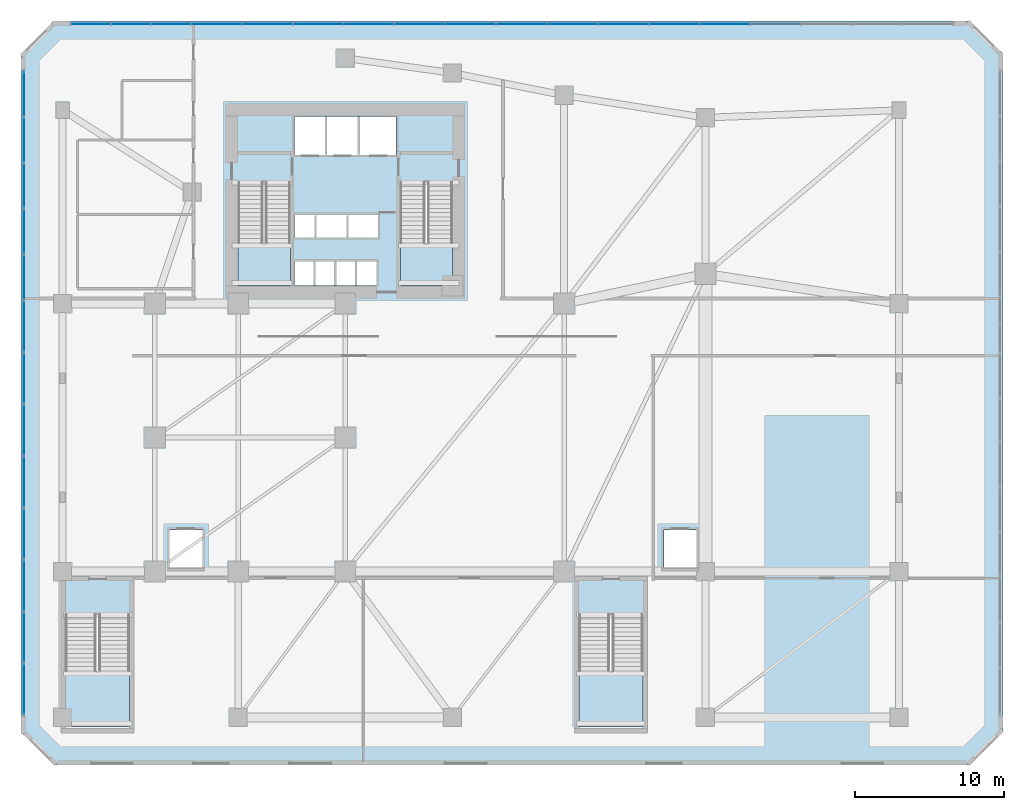
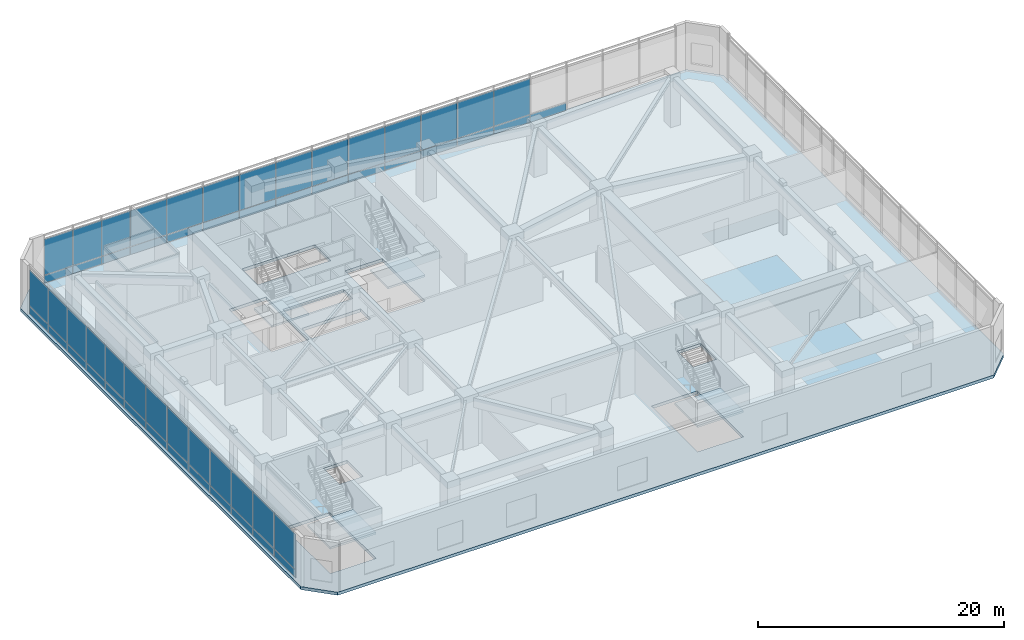
# One storey, part 8 of 16: 55 plates, 5 slabs, 6 elements without a shape of their own.
"""IFC4 building model written with IfcOpenShell, lengths in metres."""

from ifc_helpers import new_model, si_unit, direction, frame, frame_2d, origin, place, context, subcontext, project, spatial, polyline, rectangle, outline, extrude, material, layer, layer_set, type_object, element, aggregate, save


model = new_model("IFC4")

# Units and contexts
model_context = context("Model", 3, precision=1e-05, world=origin(), true_north=direction((0.0, 1.0)))
body_context = subcontext(model_context, "Body", "Model", "MODEL_VIEW")
ifc_project = project(units=[si_unit("LENGTHUNIT", "METRE"), si_unit("AREAUNIT", "SQUARE_METRE"), si_unit("VOLUMEUNIT", "CUBIC_METRE"), si_unit("PLANEANGLEUNIT", "RADIAN"), si_unit("MASSUNIT", "GRAM", prefix="KILO")], contexts=[model_context])

# Site, building, storey
site_placement = place(None, origin())
site = spatial("IfcSite", under=ifc_project, at=site_placement, CompositionType="ELEMENT")
building_placement = place(site_placement, origin())
building = spatial("IfcBuilding", under=site, at=building_placement, Name="Calvemar Wedge Station Tower", CompositionType="ELEMENT")
storey_placement = place(building_placement, frame((0.0, 0.0, 6.0)))
storey = spatial("IfcBuildingStorey", under=building, at=storey_placement, Name="L02", CompositionType="ELEMENT", Elevation=6.0)

# Curtain wall, plates
ifc_material_1 = material(Name="Anodised aluminium 6063-T6", Category="aluminium")
curtain_wall_type = type_object("IfcCurtainWallType", Name="CW5", PredefinedType="NOTDEFINED", material=ifc_material_1)
curtain_wall_1_placement = place(storey_placement, origin())
curtain_wall_1 = element("IfcCurtainWall", 1, at=curtain_wall_1_placement, inside=storey, type_object=curtain_wall_type, Name="Storey L02 CW5 Recessed Unitised Curtain Wall 4", PredefinedType="NOTDEFINED")
ifc_material_2 = material(Name="Low-E laminated insulated glass", Category="glass")
ifc_layer_1 = layer(ifc_material_2, 0.028076171875)
ifc_layer_set_1 = layer_set([ifc_layer_1], Name="Low-E laminated insulated glass")
plate_type_1 = type_object("IfcPlateType", Name="CW5-GLZ", PredefinedType="CURTAIN_PANEL", material=ifc_layer_set_1)
plate_1_placement = place(storey_placement, frame((50.972412109375, 51.7900390625, 0.8701171875), z_axis=(0.0, 0.0, 1.0), x_axis=(-1.0, 0.0, 0.0)))
plate_1 = element("IfcPlate", 2, at=plate_1_placement, type_object=plate_type_1, Name="CW5 vision glass panel 5", PredefinedType="CURTAIN_PANEL", context=body_context, shape_type="SweptSolid", body=[
    extrude(rectangle(XDim=3.375732421875, YDim=0.028076171875, at=frame_2d((1.68798828125, 0.0))), origin(), (0.0, 0.0, 1.0), 3.559814453125),
])
plate_2_placement = place(storey_placement, frame((47.560546875, 51.7900390625, 0.8701171875), z_axis=(0.0, 0.0, 1.0), x_axis=(-1.0, 0.0, 0.0)))
plate_2 = element("IfcPlate", 3, at=plate_2_placement, type_object=plate_type_1, Name="CW5 vision glass panel 6", PredefinedType="CURTAIN_PANEL", context=body_context, shape_type="SweptSolid", body=[
    extrude(rectangle(XDim=3.375732421875, YDim=0.028076171875, at=frame_2d((1.68798828125, 0.0))), origin(), (0.0, 0.0, 1.0), 3.559814453125),
])
plate_3_placement = place(storey_placement, frame((44.148681640625, 51.7900390625, 0.8701171875), z_axis=(0.0, 0.0, 1.0), x_axis=(-1.0, 0.0, 0.0)))
plate_3 = element("IfcPlate", 4, at=plate_3_placement, type_object=plate_type_1, Name="CW5 vision glass panel 7", PredefinedType="CURTAIN_PANEL", context=body_context, shape_type="SweptSolid", body=[
    extrude(rectangle(XDim=3.375732421875, YDim=0.028076171875, at=frame_2d((1.68798828125, 0.0))), origin(), (0.0, 0.0, 1.0), 3.559814453125),
])
plate_4_placement = place(storey_placement, frame((40.73681640625, 51.7900390625, 0.8701171875), z_axis=(0.0, 0.0, 1.0), x_axis=(-1.0, 0.0, 0.0)))
plate_4 = element("IfcPlate", 5, at=plate_4_placement, type_object=plate_type_1, Name="CW5 vision glass panel 8", PredefinedType="CURTAIN_PANEL", context=body_context, shape_type="SweptSolid", body=[
    extrude(rectangle(XDim=3.375732421875, YDim=0.028076171875, at=frame_2d((1.68798828125, 0.0))), origin(), (0.0, 0.0, 1.0), 3.559814453125),
])
plate_5_placement = place(storey_placement, frame((37.324951171875, 51.7900390625, 0.8701171875), z_axis=(0.0, 0.0, 1.0), x_axis=(-1.0, 0.0, 0.0)))
plate_5 = element("IfcPlate", 6, at=plate_5_placement, type_object=plate_type_1, Name="CW5 vision glass panel 9", PredefinedType="CURTAIN_PANEL", context=body_context, shape_type="SweptSolid", body=[
    extrude(rectangle(XDim=3.375732421875, YDim=0.028076171875, at=frame_2d((1.68798828125, 0.0))), origin(), (0.0, 0.0, 1.0), 3.559814453125),
])
plate_6_placement = place(storey_placement, frame((33.9130859375, 51.7900390625, 0.8701171875), z_axis=(0.0, 0.0, 1.0), x_axis=(-1.0, 0.0, 0.0)))
plate_6 = element("IfcPlate", 7, at=plate_6_placement, type_object=plate_type_1, Name="CW5 vision glass panel 10", PredefinedType="CURTAIN_PANEL", context=body_context, shape_type="SweptSolid", body=[
    extrude(rectangle(XDim=3.375732421875, YDim=0.028076171875, at=frame_2d((1.68798828125, 0.0))), origin(), (0.0, 0.0, 1.0), 3.559814453125),
])
plate_7_placement = place(storey_placement, frame((30.501220703125, 51.7900390625, 0.8701171875), z_axis=(0.0, 0.0, 1.0), x_axis=(-1.0, 0.0, 0.0)))
plate_7 = element("IfcPlate", 8, at=plate_7_placement, type_object=plate_type_1, Name="CW5 vision glass panel 11", PredefinedType="CURTAIN_PANEL", context=body_context, shape_type="SweptSolid", body=[
    extrude(rectangle(XDim=3.375732421875, YDim=0.028076171875, at=frame_2d((1.68798828125, 0.0))), origin(), (0.0, 0.0, 1.0), 3.559814453125),
])
plate_8_placement = place(storey_placement, frame((27.08935546875, 51.7900390625, 0.8701171875), z_axis=(0.0, 0.0, 1.0), x_axis=(-1.0, 0.0, 0.0)))
plate_8 = element("IfcPlate", 9, at=plate_8_placement, type_object=plate_type_1, Name="CW5 vision glass panel 12", PredefinedType="CURTAIN_PANEL", context=body_context, shape_type="SweptSolid", body=[
    extrude(rectangle(XDim=3.375732421875, YDim=0.028076171875, at=frame_2d((1.68798828125, 0.0))), origin(), (0.0, 0.0, 1.0), 3.559814453125),
])
plate_9_placement = place(storey_placement, frame((23.677490234375, 51.7900390625, 0.8701171875), z_axis=(0.0, 0.0, 1.0), x_axis=(-1.0, 0.0, 0.0)))
plate_9 = element("IfcPlate", 10, at=plate_9_placement, type_object=plate_type_1, Name="CW5 vision glass panel 13", PredefinedType="CURTAIN_PANEL", context=body_context, shape_type="SweptSolid", body=[
    extrude(rectangle(XDim=3.375732421875, YDim=0.028076171875, at=frame_2d((1.68798828125, 0.0))), origin(), (0.0, 0.0, 1.0), 3.559814453125),
])
plate_10_placement = place(storey_placement, frame((20.265625, 51.7900390625, 0.8701171875), z_axis=(0.0, 0.0, 1.0), x_axis=(-1.0, 0.0, 0.0)))
plate_10 = element("IfcPlate", 11, at=plate_10_placement, type_object=plate_type_1, Name="CW5 vision glass panel 14", PredefinedType="CURTAIN_PANEL", context=body_context, shape_type="SweptSolid", body=[
    extrude(rectangle(XDim=3.375732421875, YDim=0.028076171875, at=frame_2d((1.68798828125, 0.0))), origin(), (0.0, 0.0, 1.0), 3.559814453125),
])
plate_11_placement = place(storey_placement, frame((16.85400390625, 51.7900390625, 0.8701171875), z_axis=(0.0, 0.0, 1.0), x_axis=(-1.0, 0.0, 0.0)))
plate_11 = element("IfcPlate", 12, at=plate_11_placement, type_object=plate_type_1, Name="CW5 vision glass panel 15", PredefinedType="CURTAIN_PANEL", context=body_context, shape_type="SweptSolid", body=[
    extrude(rectangle(XDim=3.3759765625, YDim=0.028076171875, at=frame_2d((1.68798828125, 0.0))), origin(), (0.0, 0.0, 1.0), 3.559814453125),
])
plate_12_placement = place(storey_placement, frame((13.44189453125, 51.7900390625, 0.8701171875), z_axis=(0.0, 0.0, 1.0), x_axis=(-1.0, 0.0, 0.0)))
plate_12 = element("IfcPlate", 13, at=plate_12_placement, type_object=plate_type_1, Name="CW5 vision glass panel 16", PredefinedType="CURTAIN_PANEL", context=body_context, shape_type="SweptSolid", body=[
    extrude(rectangle(XDim=2.6630859375, YDim=0.028076171875, at=frame_2d((1.33154296875, 0.0))), origin(), (0.0, 0.0, 1.0), 3.559814453125),
])
plate_13_placement = place(storey_placement, frame((10.74267578125, 51.7900390625, 0.8701171875), z_axis=(0.0, 0.0, 1.0), x_axis=(-1.0, 0.0, 0.0)))
plate_13 = element("IfcPlate", 14, at=plate_13_placement, type_object=plate_type_1, Name="CW5 vision glass panel 17", PredefinedType="CURTAIN_PANEL", context=body_context, shape_type="SweptSolid", body=[
    extrude(rectangle(XDim=2.663330078125, YDim=0.028076171875, at=frame_2d((1.33154296875, 0.0))), origin(), (0.0, 0.0, 1.0), 3.559814453125),
])
plate_14_placement = place(storey_placement, frame((8.04345703125, 51.7900390625, 0.8701171875), z_axis=(0.0, 0.0, 1.0), x_axis=(-1.0, 0.0, 0.0)))
plate_14 = element("IfcPlate", 15, at=plate_14_placement, type_object=plate_type_1, Name="CW5 vision glass panel 18", PredefinedType="CURTAIN_PANEL", context=body_context, shape_type="SweptSolid", body=[
    extrude(rectangle(XDim=2.663330078125, YDim=0.028076171875, at=frame_2d((1.33154296875, 0.0))), origin(), (0.0, 0.0, 1.0), 3.559814453125),
])

curtain_wall_2_placement = place(storey_placement, origin())
curtain_wall_2 = element("IfcCurtainWall", 16, at=curtain_wall_2_placement, inside=storey, type_object=curtain_wall_type, Name="Storey L02 CW5 Recessed Unitised Curtain Wall 6", PredefinedType="NOTDEFINED")
plate_15_placement = place(storey_placement, frame((2.2099609375, 48.619873046875, 0.8701171875), z_axis=(0.0, 0.0, 1.0), x_axis=(0.0, -1.0, 0.0)))
plate_15 = element("IfcPlate", 17, at=plate_15_placement, type_object=plate_type_1, Name="CW5 vision glass panel 1", PredefinedType="CURTAIN_PANEL", context=body_context, shape_type="SweptSolid", body=[
    extrude(rectangle(XDim=3.049560546875, YDim=0.028076171875, at=frame_2d((1.52490234375, 0.0))), origin(), (0.0, 0.0, 1.0), 3.559814453125),
])
plate_16_placement = place(storey_placement, frame((2.2099609375, 45.5341796875, 0.8701171875), z_axis=(0.0, 0.0, 1.0), x_axis=(0.0, -1.0, 0.0)))
plate_16 = element("IfcPlate", 18, at=plate_16_placement, type_object=plate_type_1, Name="CW5 vision glass panel 2", PredefinedType="CURTAIN_PANEL", context=body_context, shape_type="SweptSolid", body=[
    extrude(rectangle(XDim=3.049560546875, YDim=0.028076171875, at=frame_2d((1.52490234375, 0.0))), origin(), (0.0, 0.0, 1.0), 3.559814453125),
])
plate_17_placement = place(storey_placement, frame((2.2099609375, 42.44873046875, 0.8701171875), z_axis=(0.0, 0.0, 1.0), x_axis=(0.0, -1.0, 0.0)))
plate_17 = element("IfcPlate", 19, at=plate_17_placement, type_object=plate_type_1, Name="CW5 vision glass panel 3", PredefinedType="CURTAIN_PANEL", context=body_context, shape_type="SweptSolid", body=[
    extrude(rectangle(XDim=3.049560546875, YDim=0.028076171875, at=frame_2d((1.52490234375, 0.0))), origin(), (0.0, 0.0, 1.0), 3.559814453125),
])
plate_18_placement = place(storey_placement, frame((2.2099609375, 39.36328125, 0.8701171875), z_axis=(0.0, 0.0, 1.0), x_axis=(0.0, -1.0, 0.0)))
plate_18 = element("IfcPlate", 20, at=plate_18_placement, type_object=plate_type_1, Name="CW5 vision glass panel 4", PredefinedType="CURTAIN_PANEL", context=body_context, shape_type="SweptSolid", body=[
    extrude(rectangle(XDim=3.049560546875, YDim=0.028076171875, at=frame_2d((1.52490234375, 0.0))), origin(), (0.0, 0.0, 1.0), 3.559814453125),
])
plate_19_placement = place(storey_placement, frame((2.2099609375, 36.277587890625, 0.8701171875), z_axis=(0.0, 0.0, 1.0), x_axis=(0.0, -1.0, 0.0)))
plate_19 = element("IfcPlate", 21, at=plate_19_placement, type_object=plate_type_1, Name="CW5 vision glass panel 5", PredefinedType="CURTAIN_PANEL", context=body_context, shape_type="SweptSolid", body=[
    extrude(rectangle(XDim=3.049560546875, YDim=0.028076171875, at=frame_2d((1.52490234375, 0.0))), origin(), (0.0, 0.0, 1.0), 3.559814453125),
])
plate_20_placement = place(storey_placement, frame((2.2099609375, 33.19189453125, 0.8701171875), z_axis=(0.0, 0.0, 1.0), x_axis=(0.0, -1.0, 0.0)))
plate_20 = element("IfcPlate", 22, at=plate_20_placement, type_object=plate_type_1, Name="CW5 vision glass panel 6", PredefinedType="CURTAIN_PANEL", context=body_context, shape_type="SweptSolid", body=[
    extrude(rectangle(XDim=3.44482421875, YDim=0.028076171875, at=frame_2d((1.722412109375, 0.0))), origin(), (0.0, 0.0, 1.0), 3.559814453125),
])
plate_21_placement = place(storey_placement, frame((2.2099609375, 29.7109375, 0.8701171875), z_axis=(0.0, 0.0, 1.0), x_axis=(0.0, -1.0, 0.0)))
plate_21 = element("IfcPlate", 23, at=plate_21_placement, type_object=plate_type_1, Name="CW5 vision glass panel 7", PredefinedType="CURTAIN_PANEL", context=body_context, shape_type="SweptSolid", body=[
    extrude(rectangle(XDim=3.44482421875, YDim=0.028076171875, at=frame_2d((1.722412109375, 0.0))), origin(), (0.0, 0.0, 1.0), 3.559814453125),
])
plate_22_placement = place(storey_placement, frame((2.2099609375, 26.22998046875, 0.8701171875), z_axis=(0.0, 0.0, 1.0), x_axis=(0.0, -1.0, 0.0)))
plate_22 = element("IfcPlate", 24, at=plate_22_placement, type_object=plate_type_1, Name="CW5 vision glass panel 8", PredefinedType="CURTAIN_PANEL", context=body_context, shape_type="SweptSolid", body=[
    extrude(rectangle(XDim=3.445068359375, YDim=0.028076171875, at=frame_2d((1.72265625, 0.0))), origin(), (0.0, 0.0, 1.0), 3.559814453125),
])
plate_23_placement = place(storey_placement, frame((2.2099609375, 22.7490234375, 0.8701171875), z_axis=(0.0, 0.0, 1.0), x_axis=(0.0, -1.0, 0.0)))
plate_23 = element("IfcPlate", 25, at=plate_23_placement, type_object=plate_type_1, Name="CW5 vision glass panel 9", PredefinedType="CURTAIN_PANEL", context=body_context, shape_type="SweptSolid", body=[
    extrude(rectangle(XDim=3.44482421875, YDim=0.028076171875, at=frame_2d((1.722412109375, 0.0))), origin(), (0.0, 0.0, 1.0), 3.559814453125),
])
plate_24_placement = place(storey_placement, frame((2.2099609375, 19.26806640625, 0.8701171875), z_axis=(0.0, 0.0, 1.0), x_axis=(0.0, -1.0, 0.0)))
plate_24 = element("IfcPlate", 26, at=plate_24_placement, type_object=plate_type_1, Name="CW5 vision glass panel 10", PredefinedType="CURTAIN_PANEL", context=body_context, shape_type="SweptSolid", body=[
    extrude(rectangle(XDim=3.445068359375, YDim=0.028076171875, at=frame_2d((1.72265625, 0.0))), origin(), (0.0, 0.0, 1.0), 3.559814453125),
])
plate_25_placement = place(storey_placement, frame((2.2099609375, 15.787109375, 0.8701171875), z_axis=(0.0, 0.0, 1.0), x_axis=(0.0, -1.0, 0.0)))
plate_25 = element("IfcPlate", 27, at=plate_25_placement, type_object=plate_type_1, Name="CW5 vision glass panel 11", PredefinedType="CURTAIN_PANEL", context=body_context, shape_type="SweptSolid", body=[
    extrude(rectangle(XDim=3.445068359375, YDim=0.028076171875, at=frame_2d((1.72265625, 0.0))), origin(), (0.0, 0.0, 1.0), 3.559814453125),
])
plate_26_placement = place(storey_placement, frame((2.2099609375, 12.30615234375, 0.8701171875), z_axis=(0.0, 0.0, 1.0), x_axis=(0.0, -1.0, 0.0)))
plate_26 = element("IfcPlate", 28, at=plate_26_placement, type_object=plate_type_1, Name="CW5 vision glass panel 12", PredefinedType="CURTAIN_PANEL", context=body_context, shape_type="SweptSolid", body=[
    extrude(rectangle(XDim=3.445068359375, YDim=0.028076171875, at=frame_2d((1.72265625, 0.0))), origin(), (0.0, 0.0, 1.0), 3.559814453125),
])
plate_27_placement = place(storey_placement, frame((2.2099609375, 8.8251953125, 0.8701171875), z_axis=(0.0, 0.0, 1.0), x_axis=(0.0, -1.0, 0.0)))
plate_27 = element("IfcPlate", 29, at=plate_27_placement, type_object=plate_type_1, Name="CW5 vision glass panel 13", PredefinedType="CURTAIN_PANEL", context=body_context, shape_type="SweptSolid", body=[
    extrude(rectangle(XDim=3.445068359375, YDim=0.028076171875, at=frame_2d((1.72265625, 0.0))), origin(), (0.0, 0.0, 1.0), 3.559814453125),
])

# Plate
ifc_material_3 = material(Name="Oxidized bronze aluminium spandrel panel 5005-H24", Category="aluminium")
ifc_layer_2 = layer(ifc_material_3, 0.0400390625)
ifc_layer_set_2 = layer_set([ifc_layer_2], Name="Oxidized bronze aluminium spandrel panel 5005-H24")
plate_type_2 = type_object("IfcPlateType", Name="CW5-SPD", PredefinedType="SHEET", material=ifc_layer_set_2)
plate_28_placement = place(storey_placement, frame((54.38427734375, 51.7900390625, 0.080078125), z_axis=(0.0, 0.0, 1.0), x_axis=(-1.0, 0.0, 0.0)))
plate_28 = element("IfcPlate", 30, at=plate_28_placement, type_object=plate_type_2, Name="CW5 bronze spandrel panel 4", PredefinedType="SHEET", context=body_context, shape_type="SweptSolid", body=[
    extrude(rectangle(XDim=3.375732421875, YDim=0.0400390625, at=frame_2d((1.68798828125, 0.0))), origin(), (0.0, 0.0, 1.0), 0.75),
])

plate_29_placement = place(storey_placement, frame((50.972412109375, 51.7900390625, 0.080078125), z_axis=(0.0, 0.0, 1.0), x_axis=(-1.0, 0.0, 0.0)))
plate_29 = element("IfcPlate", 31, at=plate_29_placement, type_object=plate_type_2, Name="CW5 bronze spandrel panel 5", PredefinedType="SHEET", context=body_context, shape_type="SweptSolid", body=[
    extrude(rectangle(XDim=3.375732421875, YDim=0.0400390625, at=frame_2d((1.68798828125, 0.0))), origin(), (0.0, 0.0, 1.0), 0.75),
])

plate_30_placement = place(storey_placement, frame((47.560546875, 51.7900390625, 0.080078125), z_axis=(0.0, 0.0, 1.0), x_axis=(-1.0, 0.0, 0.0)))
plate_30 = element("IfcPlate", 32, at=plate_30_placement, type_object=plate_type_2, Name="CW5 bronze spandrel panel 6", PredefinedType="SHEET", context=body_context, shape_type="SweptSolid", body=[
    extrude(rectangle(XDim=3.375732421875, YDim=0.0400390625, at=frame_2d((1.68798828125, 0.0))), origin(), (0.0, 0.0, 1.0), 0.75),
])

plate_31_placement = place(storey_placement, frame((44.148681640625, 51.7900390625, 0.080078125), z_axis=(0.0, 0.0, 1.0), x_axis=(-1.0, 0.0, 0.0)))
plate_31 = element("IfcPlate", 33, at=plate_31_placement, type_object=plate_type_2, Name="CW5 bronze spandrel panel 7", PredefinedType="SHEET", context=body_context, shape_type="SweptSolid", body=[
    extrude(rectangle(XDim=3.375732421875, YDim=0.0400390625, at=frame_2d((1.68798828125, 0.0))), origin(), (0.0, 0.0, 1.0), 0.75),
])

plate_32_placement = place(storey_placement, frame((40.73681640625, 51.7900390625, 0.080078125), z_axis=(0.0, 0.0, 1.0), x_axis=(-1.0, 0.0, 0.0)))
plate_32 = element("IfcPlate", 34, at=plate_32_placement, type_object=plate_type_2, Name="CW5 bronze spandrel panel 8", PredefinedType="SHEET", context=body_context, shape_type="SweptSolid", body=[
    extrude(rectangle(XDim=3.375732421875, YDim=0.0400390625, at=frame_2d((1.68798828125, 0.0))), origin(), (0.0, 0.0, 1.0), 0.75),
])

plate_33_placement = place(storey_placement, frame((37.324951171875, 51.7900390625, 0.080078125), z_axis=(0.0, 0.0, 1.0), x_axis=(-1.0, 0.0, 0.0)))
plate_33 = element("IfcPlate", 35, at=plate_33_placement, type_object=plate_type_2, Name="CW5 bronze spandrel panel 9", PredefinedType="SHEET", context=body_context, shape_type="SweptSolid", body=[
    extrude(rectangle(XDim=3.375732421875, YDim=0.0400390625, at=frame_2d((1.68798828125, 0.0))), origin(), (0.0, 0.0, 1.0), 0.75),
])

plate_34_placement = place(storey_placement, frame((33.9130859375, 51.7900390625, 0.080078125), z_axis=(0.0, 0.0, 1.0), x_axis=(-1.0, 0.0, 0.0)))
plate_34 = element("IfcPlate", 36, at=plate_34_placement, type_object=plate_type_2, Name="CW5 bronze spandrel panel 10", PredefinedType="SHEET", context=body_context, shape_type="SweptSolid", body=[
    extrude(rectangle(XDim=3.375732421875, YDim=0.0400390625, at=frame_2d((1.68798828125, 0.0))), origin(), (0.0, 0.0, 1.0), 0.75),
])

plate_35_placement = place(storey_placement, frame((30.501220703125, 51.7900390625, 0.080078125), z_axis=(0.0, 0.0, 1.0), x_axis=(-1.0, 0.0, 0.0)))
plate_35 = element("IfcPlate", 37, at=plate_35_placement, type_object=plate_type_2, Name="CW5 bronze spandrel panel 11", PredefinedType="SHEET", context=body_context, shape_type="SweptSolid", body=[
    extrude(rectangle(XDim=3.375732421875, YDim=0.0400390625, at=frame_2d((1.68798828125, 0.0))), origin(), (0.0, 0.0, 1.0), 0.75),
])

plate_36_placement = place(storey_placement, frame((27.08935546875, 51.7900390625, 0.080078125), z_axis=(0.0, 0.0, 1.0), x_axis=(-1.0, 0.0, 0.0)))
plate_36 = element("IfcPlate", 38, at=plate_36_placement, type_object=plate_type_2, Name="CW5 bronze spandrel panel 12", PredefinedType="SHEET", context=body_context, shape_type="SweptSolid", body=[
    extrude(rectangle(XDim=3.375732421875, YDim=0.0400390625, at=frame_2d((1.68798828125, 0.0))), origin(), (0.0, 0.0, 1.0), 0.75),
])

plate_37_placement = place(storey_placement, frame((23.677490234375, 51.7900390625, 0.080078125), z_axis=(0.0, 0.0, 1.0), x_axis=(-1.0, 0.0, 0.0)))
plate_37 = element("IfcPlate", 39, at=plate_37_placement, type_object=plate_type_2, Name="CW5 bronze spandrel panel 13", PredefinedType="SHEET", context=body_context, shape_type="SweptSolid", body=[
    extrude(rectangle(XDim=3.375732421875, YDim=0.0400390625, at=frame_2d((1.68798828125, 0.0))), origin(), (0.0, 0.0, 1.0), 0.75),
])

plate_38_placement = place(storey_placement, frame((20.265625, 51.7900390625, 0.080078125), z_axis=(0.0, 0.0, 1.0), x_axis=(-1.0, 0.0, 0.0)))
plate_38 = element("IfcPlate", 40, at=plate_38_placement, type_object=plate_type_2, Name="CW5 bronze spandrel panel 14", PredefinedType="SHEET", context=body_context, shape_type="SweptSolid", body=[
    extrude(rectangle(XDim=3.375732421875, YDim=0.0400390625, at=frame_2d((1.68798828125, 0.0))), origin(), (0.0, 0.0, 1.0), 0.75),
])

plate_39_placement = place(storey_placement, frame((16.85400390625, 51.7900390625, 0.080078125), z_axis=(0.0, 0.0, 1.0), x_axis=(-1.0, 0.0, 0.0)))
plate_39 = element("IfcPlate", 41, at=plate_39_placement, type_object=plate_type_2, Name="CW5 bronze spandrel panel 15", PredefinedType="SHEET", context=body_context, shape_type="SweptSolid", body=[
    extrude(rectangle(XDim=3.3759765625, YDim=0.0400390625, at=frame_2d((1.68798828125, 0.0))), origin(), (0.0, 0.0, 1.0), 0.75),
])

plate_40_placement = place(storey_placement, frame((13.44189453125, 51.7900390625, 0.080078125), z_axis=(0.0, 0.0, 1.0), x_axis=(-1.0, 0.0, 0.0)))
plate_40 = element("IfcPlate", 42, at=plate_40_placement, type_object=plate_type_2, Name="CW5 bronze spandrel panel 16", PredefinedType="SHEET", context=body_context, shape_type="SweptSolid", body=[
    extrude(rectangle(XDim=2.6630859375, YDim=0.0400390625, at=frame_2d((1.33154296875, 0.0))), origin(), (0.0, 0.0, 1.0), 0.75),
])

plate_41_placement = place(storey_placement, frame((10.74267578125, 51.7900390625, 0.080078125), z_axis=(0.0, 0.0, 1.0), x_axis=(-1.0, 0.0, 0.0)))
plate_41 = element("IfcPlate", 43, at=plate_41_placement, type_object=plate_type_2, Name="CW5 bronze spandrel panel 17", PredefinedType="SHEET", context=body_context, shape_type="SweptSolid", body=[
    extrude(rectangle(XDim=2.663330078125, YDim=0.0400390625, at=frame_2d((1.33154296875, 0.0))), origin(), (0.0, 0.0, 1.0), 0.75),
])

plate_42_placement = place(storey_placement, frame((8.04345703125, 51.7900390625, 0.080078125), z_axis=(0.0, 0.0, 1.0), x_axis=(-1.0, 0.0, 0.0)))
plate_42 = element("IfcPlate", 44, at=plate_42_placement, type_object=plate_type_2, Name="CW5 bronze spandrel panel 18", PredefinedType="SHEET", context=body_context, shape_type="SweptSolid", body=[
    extrude(rectangle(XDim=2.663330078125, YDim=0.0400390625, at=frame_2d((1.33154296875, 0.0))), origin(), (0.0, 0.0, 1.0), 0.75),
])

aggregate(curtain_wall_1, [plate_28, plate_29, plate_1, plate_30, plate_2, plate_31, plate_3, plate_32, plate_4, plate_33, plate_5, plate_34, plate_6, plate_35, plate_7, plate_36, plate_8, plate_37, plate_9, plate_38, plate_10, plate_39, plate_11, plate_40, plate_12, plate_41, plate_13, plate_42, plate_14])

plate_43_placement = place(storey_placement, frame((2.2099609375, 48.619873046875, 0.080078125), z_axis=(0.0, 0.0, 1.0), x_axis=(0.0, -1.0, 0.0)))
plate_43 = element("IfcPlate", 45, at=plate_43_placement, type_object=plate_type_2, Name="CW5 bronze spandrel panel 1", PredefinedType="SHEET", context=body_context, shape_type="SweptSolid", body=[
    extrude(rectangle(XDim=3.049560546875, YDim=0.0400390625, at=frame_2d((1.52490234375, 0.0))), origin(), (0.0, 0.0, 1.0), 0.75),
])

plate_44_placement = place(storey_placement, frame((2.2099609375, 45.5341796875, 0.080078125), z_axis=(0.0, 0.0, 1.0), x_axis=(0.0, -1.0, 0.0)))
plate_44 = element("IfcPlate", 46, at=plate_44_placement, type_object=plate_type_2, Name="CW5 bronze spandrel panel 2", PredefinedType="SHEET", context=body_context, shape_type="SweptSolid", body=[
    extrude(rectangle(XDim=3.049560546875, YDim=0.0400390625, at=frame_2d((1.52490234375, 0.0))), origin(), (0.0, 0.0, 1.0), 0.75),
])

plate_45_placement = place(storey_placement, frame((2.2099609375, 42.44873046875, 0.080078125), z_axis=(0.0, 0.0, 1.0), x_axis=(0.0, -1.0, 0.0)))
plate_45 = element("IfcPlate", 47, at=plate_45_placement, type_object=plate_type_2, Name="CW5 bronze spandrel panel 3", PredefinedType="SHEET", context=body_context, shape_type="SweptSolid", body=[
    extrude(rectangle(XDim=3.049560546875, YDim=0.0400390625, at=frame_2d((1.52490234375, 0.0))), origin(), (0.0, 0.0, 1.0), 0.75),
])

plate_46_placement = place(storey_placement, frame((2.2099609375, 39.36328125, 0.080078125), z_axis=(0.0, 0.0, 1.0), x_axis=(0.0, -1.0, 0.0)))
plate_46 = element("IfcPlate", 48, at=plate_46_placement, type_object=plate_type_2, Name="CW5 bronze spandrel panel 4", PredefinedType="SHEET", context=body_context, shape_type="SweptSolid", body=[
    extrude(rectangle(XDim=3.049560546875, YDim=0.0400390625, at=frame_2d((1.52490234375, 0.0))), origin(), (0.0, 0.0, 1.0), 0.75),
])

plate_47_placement = place(storey_placement, frame((2.2099609375, 36.277587890625, 0.080078125), z_axis=(0.0, 0.0, 1.0), x_axis=(0.0, -1.0, 0.0)))
plate_47 = element("IfcPlate", 49, at=plate_47_placement, type_object=plate_type_2, Name="CW5 bronze spandrel panel 5", PredefinedType="SHEET", context=body_context, shape_type="SweptSolid", body=[
    extrude(rectangle(XDim=3.049560546875, YDim=0.0400390625, at=frame_2d((1.52490234375, 0.0))), origin(), (0.0, 0.0, 1.0), 0.75),
])

plate_48_placement = place(storey_placement, frame((2.2099609375, 33.19189453125, 0.080078125), z_axis=(0.0, 0.0, 1.0), x_axis=(0.0, -1.0, 0.0)))
plate_48 = element("IfcPlate", 50, at=plate_48_placement, type_object=plate_type_2, Name="CW5 bronze spandrel panel 6", PredefinedType="SHEET", context=body_context, shape_type="SweptSolid", body=[
    extrude(rectangle(XDim=3.44482421875, YDim=0.0400390625, at=frame_2d((1.722412109375, 0.0))), origin(), (0.0, 0.0, 1.0), 0.75),
])

plate_49_placement = place(storey_placement, frame((2.2099609375, 29.7109375, 0.080078125), z_axis=(0.0, 0.0, 1.0), x_axis=(0.0, -1.0, 0.0)))
plate_49 = element("IfcPlate", 51, at=plate_49_placement, type_object=plate_type_2, Name="CW5 bronze spandrel panel 7", PredefinedType="SHEET", context=body_context, shape_type="SweptSolid", body=[
    extrude(rectangle(XDim=3.44482421875, YDim=0.0400390625, at=frame_2d((1.722412109375, 0.0))), origin(), (0.0, 0.0, 1.0), 0.75),
])

plate_50_placement = place(storey_placement, frame((2.2099609375, 26.22998046875, 0.080078125), z_axis=(0.0, 0.0, 1.0), x_axis=(0.0, -1.0, 0.0)))
plate_50 = element("IfcPlate", 52, at=plate_50_placement, type_object=plate_type_2, Name="CW5 bronze spandrel panel 8", PredefinedType="SHEET", context=body_context, shape_type="SweptSolid", body=[
    extrude(rectangle(XDim=3.445068359375, YDim=0.0400390625, at=frame_2d((1.72265625, 0.0))), origin(), (0.0, 0.0, 1.0), 0.75),
])

plate_51_placement = place(storey_placement, frame((2.2099609375, 22.7490234375, 0.080078125), z_axis=(0.0, 0.0, 1.0), x_axis=(0.0, -1.0, 0.0)))
plate_51 = element("IfcPlate", 53, at=plate_51_placement, type_object=plate_type_2, Name="CW5 bronze spandrel panel 9", PredefinedType="SHEET", context=body_context, shape_type="SweptSolid", body=[
    extrude(rectangle(XDim=3.44482421875, YDim=0.0400390625, at=frame_2d((1.722412109375, 0.0))), origin(), (0.0, 0.0, 1.0), 0.75),
])

plate_52_placement = place(storey_placement, frame((2.2099609375, 19.26806640625, 0.080078125), z_axis=(0.0, 0.0, 1.0), x_axis=(0.0, -1.0, 0.0)))
plate_52 = element("IfcPlate", 54, at=plate_52_placement, type_object=plate_type_2, Name="CW5 bronze spandrel panel 10", PredefinedType="SHEET", context=body_context, shape_type="SweptSolid", body=[
    extrude(rectangle(XDim=3.445068359375, YDim=0.0400390625, at=frame_2d((1.72265625, 0.0))), origin(), (0.0, 0.0, 1.0), 0.75),
])

plate_53_placement = place(storey_placement, frame((2.2099609375, 15.787109375, 0.080078125), z_axis=(0.0, 0.0, 1.0), x_axis=(0.0, -1.0, 0.0)))
plate_53 = element("IfcPlate", 55, at=plate_53_placement, type_object=plate_type_2, Name="CW5 bronze spandrel panel 11", PredefinedType="SHEET", context=body_context, shape_type="SweptSolid", body=[
    extrude(rectangle(XDim=3.445068359375, YDim=0.0400390625, at=frame_2d((1.72265625, 0.0))), origin(), (0.0, 0.0, 1.0), 0.75),
])

plate_54_placement = place(storey_placement, frame((2.2099609375, 12.30615234375, 0.080078125), z_axis=(0.0, 0.0, 1.0), x_axis=(0.0, -1.0, 0.0)))
plate_54 = element("IfcPlate", 56, at=plate_54_placement, type_object=plate_type_2, Name="CW5 bronze spandrel panel 12", PredefinedType="SHEET", context=body_context, shape_type="SweptSolid", body=[
    extrude(rectangle(XDim=3.445068359375, YDim=0.0400390625, at=frame_2d((1.72265625, 0.0))), origin(), (0.0, 0.0, 1.0), 0.75),
])

plate_55_placement = place(storey_placement, frame((2.2099609375, 8.8251953125, 0.080078125), z_axis=(0.0, 0.0, 1.0), x_axis=(0.0, -1.0, 0.0)))
plate_55 = element("IfcPlate", 57, at=plate_55_placement, type_object=plate_type_2, Name="CW5 bronze spandrel panel 13", PredefinedType="SHEET", context=body_context, shape_type="SweptSolid", body=[
    extrude(rectangle(XDim=3.445068359375, YDim=0.0400390625, at=frame_2d((1.72265625, 0.0))), origin(), (0.0, 0.0, 1.0), 0.75),
])

aggregate(curtain_wall_2, [plate_43, plate_15, plate_44, plate_16, plate_45, plate_17, plate_46, plate_18, plate_47, plate_19, plate_48, plate_20, plate_49, plate_21, plate_50, plate_22, plate_51, plate_23, plate_52, plate_24, plate_53, plate_25, plate_54, plate_26, plate_55, plate_27])

# Slab
ifc_material_4 = material(Name="Concrete C50", Category="concrete")
ifc_layer_3 = layer(ifc_material_4, 0.300048828125)
ifc_layer_set_3 = layer_set([ifc_layer_3], Name="Concrete C50")
slab_type_1 = type_object("IfcSlabType", Name="SL-POD-300", PredefinedType="FLOOR", material=ifc_layer_set_3)
slab_1_placement = place(storey_placement, frame((0.0, 0.0, -0.300048828125)))
element("IfcSlab", 58, at=slab_1_placement, inside=storey, type_object=slab_type_1, Name="Storey L02 Structural Floor Slab", PredefinedType="FLOOR", context=body_context, shape_type="SweptSolid", body=[
    extrude(outline(polyline([(4.199951171875, 2.0), (65.800048828125, 2.0), (68.0, 4.199951171875), (68.0, 49.800048828125), (65.800048828125, 52.0), (4.199951171875, 52.0), (2.0, 49.800048828125), (2.0, 4.199951171875), (4.199951171875, 2.0)]), holes=[polyline([(5.0, 4.60009765625), (9.300048828125, 4.60009765625), (9.300048828125, 12.10009765625), (5.0, 12.10009765625), (5.0, 4.60009765625)]), polyline([(12.0, 15.199951171875), (14.199951171875, 15.199951171875), (14.199951171875, 17.800048828125), (12.0, 17.800048828125), (12.0, 15.199951171875)]), polyline([(21.72998046875, 34.219970703125), (21.739990234375, 34.219970703125), (23.1201171875, 34.219970703125), (23.1298828125, 34.219970703125), (24.510009765625, 34.219970703125), (24.52001953125, 34.219970703125), (25.909912109375, 34.219970703125), (25.909912109375, 35.85009765625), (24.52001953125, 35.85009765625), (24.510009765625, 35.85009765625), (23.1298828125, 35.85009765625), (23.1201171875, 35.85009765625), (21.739990234375, 35.85009765625), (21.72998046875, 35.85009765625), (20.3798828125, 35.85009765625), (20.3798828125, 34.219970703125), (21.72998046875, 34.219970703125)]), polyline([(16.60009765625, 41.14990234375), (16.60009765625, 34.199951171875), (20.10009765625, 34.199951171875), (20.10009765625, 41.14990234375), (16.60009765625, 41.14990234375)]), polyline([(23.93994140625, 37.449951171875), (26.080078125, 37.449951171875), (26.080078125, 38.949951171875), (23.93994140625, 38.949951171875), (23.929931640625, 38.949951171875), (21.800048828125, 38.949951171875), (21.7900390625, 38.949951171875), (20.3798828125, 38.949951171875), (20.3798828125, 37.449951171875), (21.7900390625, 37.449951171875), (21.800048828125, 37.449951171875), (23.929931640625, 37.449951171875), (23.93994140625, 37.449951171875)]), polyline([(39.5, 4.60009765625), (43.800048828125, 4.60009765625), (43.800048828125, 12.10009765625), (39.5, 12.10009765625), (39.5, 4.60009765625)]), polyline([(45.199951171875, 15.199951171875), (47.39990234375, 15.199951171875), (47.39990234375, 17.800048828125), (45.199951171875, 17.800048828125), (45.199951171875, 15.199951171875)]), polyline([(27.5, 41.14990234375), (27.5, 34.199951171875), (31.0, 34.199951171875), (31.0, 41.14990234375), (27.5, 41.14990234375)]), polyline([(20.3798828125, 43.0), (27.219970703125, 43.0), (27.219970703125, 45.580078125), (20.3798828125, 45.580078125), (20.3798828125, 43.0)])]), origin(), (0.0, 0.0, 1.0), 0.300048828125),
])

# Stair, slab
ifc_material_5 = material(Name="Concrete C45", Category="concrete")
stair_type_1 = type_object("IfcStairType", Name="ST-TYPE-5200", PredefinedType="HALF_TURN_STAIR", material=ifc_material_5)
stair_1_placement = place(storey_placement, origin())
stair_1 = element("IfcStair", 59, at=stair_1_placement, inside=storey, type_object=stair_type_1, Name="L02 Pressurized Core Exit Stair ST-C1", PredefinedType="HALF_TURN_STAIR")
ifc_layer_4 = layer(ifc_material_5, 0.199951171875)
ifc_layer_set_4 = layer_set([ifc_layer_4], Name="Concrete C45")
slab_type_2 = type_object("IfcSlabType", Name="SL-STAIR-LND-200", PredefinedType="LANDING", material=ifc_layer_set_4)
slab_2_placement = place(storey_placement, frame((0.0, 0.0, 2.39990234375)))
slab_2 = element("IfcSlab", 60, at=slab_2_placement, type_object=slab_type_2, Name="ST-C1 landing 1", PredefinedType="LANDING", context=body_context, shape_type="SweptSolid", body=[
    extrude(outline(polyline([(16.60009765625, 37.090087890625), (16.60009765625, 34.199951171875), (20.10009765625, 34.199951171875), (20.10009765625, 37.090087890625), (16.60009765625, 37.090087890625)])), origin(), (0.0, 0.0, 1.0), 0.2001953125),
])
aggregate(stair_1, [slab_2])

stair_2_placement = place(storey_placement, origin())
stair_2 = element("IfcStair", 61, at=stair_2_placement, inside=storey, type_object=stair_type_1, Name="L02 Pressurized Core Exit Stair ST-C2", PredefinedType="HALF_TURN_STAIR")
slab_3_placement = place(storey_placement, frame((0.0, 0.0, 2.39990234375)))
slab_3 = element("IfcSlab", 62, at=slab_3_placement, type_object=slab_type_2, Name="ST-C2 landing 1", PredefinedType="LANDING", context=body_context, shape_type="SweptSolid", body=[
    extrude(outline(polyline([(27.5, 37.090087890625), (27.5, 34.199951171875), (31.0, 34.199951171875), (31.0, 37.090087890625), (27.5, 37.090087890625)])), origin(), (0.0, 0.0, 1.0), 0.2001953125),
])
aggregate(stair_2, [slab_3])

stair_type_2 = type_object("IfcStairType", Name="ST-TYPE-POD5200", PredefinedType="HALF_TURN_STAIR", material=ifc_material_5)
stair_3_placement = place(storey_placement, origin())
stair_3 = element("IfcStair", 63, at=stair_3_placement, inside=storey, type_object=stair_type_2, Name="L02 Station Podium Exit Stair ST-P1", PredefinedType="HALF_TURN_STAIR")
slab_4_placement = place(storey_placement, frame((0.0, 0.0, 2.39990234375)))
slab_4 = element("IfcSlab", 64, at=slab_4_placement, type_object=slab_type_2, Name="ST-P1 landing 1", PredefinedType="LANDING", context=body_context, shape_type="SweptSolid", body=[
    extrude(outline(polyline([(5.0, 8.330078125), (5.0, 4.60009765625), (9.300048828125, 4.60009765625), (9.300048828125, 8.330078125), (5.0, 8.330078125)])), origin(), (0.0, 0.0, 1.0), 0.2001953125),
])
aggregate(stair_3, [slab_4])

stair_4_placement = place(storey_placement, origin())
stair_4 = element("IfcStair", 65, at=stair_4_placement, inside=storey, type_object=stair_type_2, Name="L02 Station Podium Exit Stair ST-P2", PredefinedType="HALF_TURN_STAIR")
slab_5_placement = place(storey_placement, frame((0.0, 0.0, 2.39990234375)))
slab_5 = element("IfcSlab", 66, at=slab_5_placement, type_object=slab_type_2, Name="ST-P2 landing 1", PredefinedType="LANDING", context=body_context, shape_type="SweptSolid", body=[
    extrude(outline(polyline([(39.5, 8.330078125), (39.5, 4.60009765625), (43.800048828125, 4.60009765625), (43.800048828125, 8.330078125), (39.5, 8.330078125)])), origin(), (0.0, 0.0, 1.0), 0.2001953125),
])
aggregate(stair_4, [slab_5])

save(model, "model.ifc")
